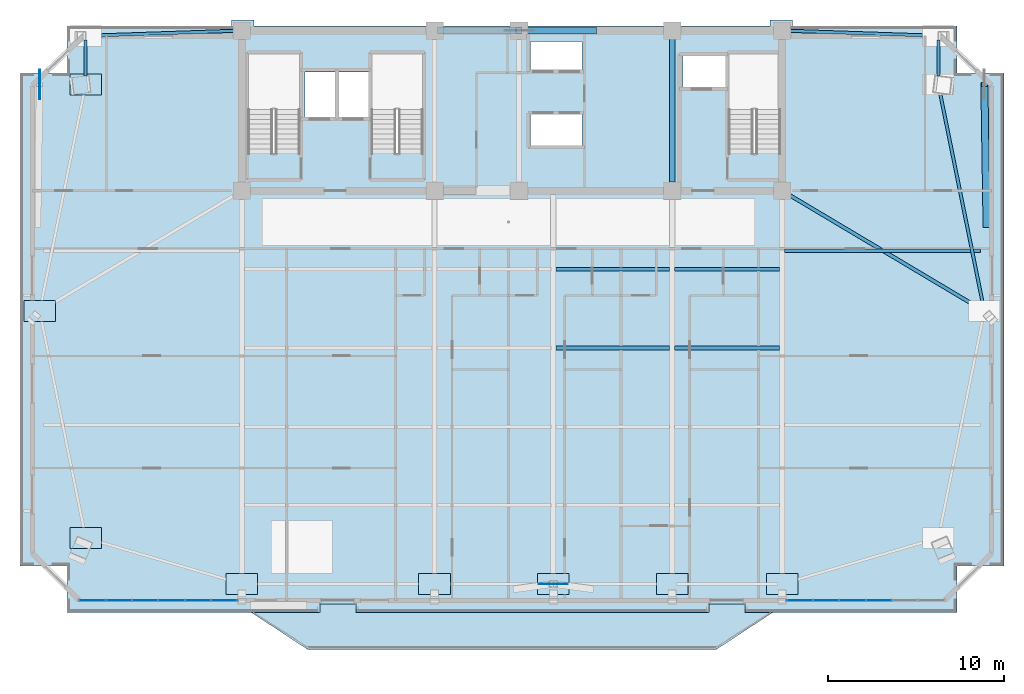
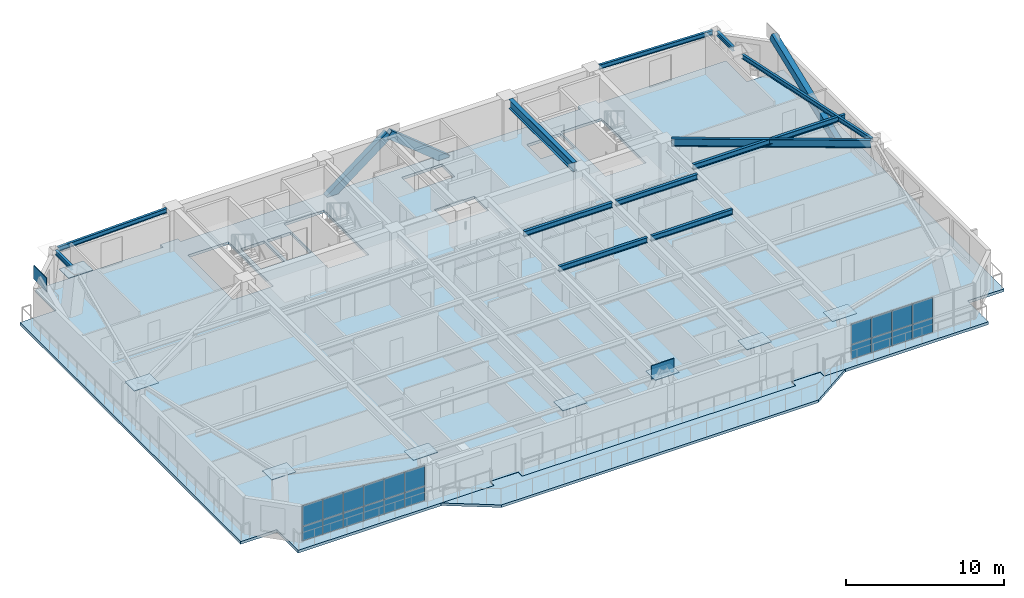
# One storey, part 7 of 18: 30 plates, 12 beams, 3 members, 2 slabs, 2 elements without a shape of their own.
"""IFC4 building model written with IfcOpenShell, lengths in metres."""

from ifc_helpers import new_model, si_unit, direction, frame, origin, origin_2d, place, context, subcontext, project, spatial, polyline, rectangle, hollow_rectangle, i_section, outline, extrude, source, transform, mapped, material, layer, layer_set, material_profile, profile_set, type_object, element, aggregate, save


model = new_model("IFC4")

# Units and contexts
model_context = context("Model", 3, precision=1e-05, world=origin(), true_north=direction((0.0, 1.0)))
body_context = subcontext(model_context, "Body", "Model", "MODEL_VIEW")
ifc_project = project(units=[si_unit("LENGTHUNIT", "METRE"), si_unit("AREAUNIT", "SQUARE_METRE"), si_unit("VOLUMEUNIT", "CUBIC_METRE"), si_unit("PLANEANGLEUNIT", "RADIAN"), si_unit("MASSUNIT", "GRAM", prefix="KILO")], contexts=[model_context])

# Site, building, storey
site_placement = place(None, origin())
site = spatial("IfcSite", under=ifc_project, at=site_placement, CompositionType="ELEMENT")
building_placement = place(site_placement, origin())
building = spatial("IfcBuilding", under=site, at=building_placement, Name="Giltprow Tower", CompositionType="ELEMENT")
storey_placement = place(building_placement, frame((0.0, 0.0, 245.10009765625)))
storey = spatial("IfcBuildingStorey", under=building, at=storey_placement, Name="L62", CompositionType="ELEMENT", Elevation=245.10009765625)

# Beams
ifc_material_1 = material(Name="Structural steel Q355B", Category="steel")
ifc_material_profile_1 = material_profile(ifc_material_1, i_section(OverallWidth=0.300048828125, OverallDepth=0.699951171875, WebThickness=0.012939453125, FlangeThickness=0.02392578125, at=origin_2d()), Name="HN 700x300x13x24")
ifc_profile_set_1 = profile_set([ifc_material_profile_1], Name="Structural steel Q355B")
beam_type_1 = type_object("IfcBeamType", Name="BM-GIRD-HN700", PredefinedType="BEAM", material=ifc_profile_set_1)
shared_shape_1 = source(origin(), body_context, "Body", "SweptSolid", [
    extrude(i_section(OverallWidth=0.300048828125, OverallDepth=0.699951171875, WebThickness=0.012939453125, FlangeThickness=0.02392578125, at=origin_2d()), origin(), (0.0, 0.0, 1.0), 8.1298828125),
])
beam_1_placement = place(storey_placement, frame((44.300048828125, 37.93505859375, 2.8349609375), z_axis=(0.0, 1.0, 0.0), x_axis=(-1.0, 0.0, 0.0)))
element("IfcBeam", 1, at=beam_1_placement, inside=storey, type_object=beam_type_1, Name="L62 Core Tie Girder M3", PredefinedType="BEAM", context=body_context, shape_type="MappedRepresentation", body=[
    mapped(shared_shape_1, transform((0.0, 0.0, 0.0), x_axis=(1.0, 0.0, 0.0), y_axis=(0.0, 1.0, 0.0), z_axis=(0.0, 0.0, 1.0), scale=1.0)),
])
ifc_material_profile_2 = material_profile(ifc_material_1, i_section(OverallWidth=0.199951171875, OverallDepth=0.39990234375, WebThickness=0.008056640625, FlangeThickness=0.012939453125, at=origin_2d()), Name="HN 400x200x8x13")
ifc_profile_set_2 = profile_set([ifc_material_profile_2], Name="Structural steel Q355B")
beam_type_2 = type_object("IfcBeamType", Name="BM-JOIST-HN400", PredefinedType="JOIST", material=ifc_profile_set_2)
shared_shape_2 = source(origin(), body_context, "Body", "SweptSolid", [
    extrude(i_section(OverallWidth=0.199951171875, OverallDepth=0.39990234375, WebThickness=0.008056640625, FlangeThickness=0.012939453125, at=origin_2d()), origin(), (0.0, 0.0, 1.0), 6.4599609375),
])
for number, where, z_axis, x_axis, name in (
    (2, (37.695068359375, 28.514892578125, 2.98486328125), (1.0, 0.0, 0.0), (0.0, 1.0, 0.0), "L62 Composite Floor Joist 3-3"),
    (3, (37.695068359375, 32.98291015625, 2.98486328125), (1.0, 0.0, 0.0), (0.0, 1.0, 0.0), "L62 Composite Floor Joist 4-3"),
):
    element("IfcBeam", number, at=place(storey_placement, frame(where, z_axis=z_axis, x_axis=x_axis)), inside=storey, type_object=beam_type_2, Name=name, PredefinedType="JOIST", context=body_context, shape_type="MappedRepresentation", body=[
        mapped(shared_shape_2, transform((0.0, 0.0, 0.0), x_axis=(1.0, 0.0, 0.0), y_axis=(0.0, 1.0, 0.0), z_axis=(0.0, 0.0, 1.0), scale=1.0)),
    ])
shared_shape_3 = source(origin(), body_context, "Body", "SweptSolid", [
    extrude(i_section(OverallWidth=0.199951171875, OverallDepth=0.39990234375, WebThickness=0.008056640625, FlangeThickness=0.012939453125, at=origin_2d()), origin(), (0.0, 0.0, 1.0), 5.9599609375),
])
for number, where, z_axis, x_axis, name in (
    (4, (44.445068359375, 28.514892578125, 2.98486328125), (1.0, 0.0, 0.0), (0.0, 1.0, 0.0), "L62 Composite Floor Joist 3-4"),
    (5, (44.445068359375, 32.98291015625, 2.98486328125), (1.0, 0.0, 0.0), (0.0, 1.0, 0.0), "L62 Composite Floor Joist 4-4"),
):
    element("IfcBeam", number, at=place(storey_placement, frame(where, z_axis=z_axis, x_axis=x_axis)), inside=storey, type_object=beam_type_2, Name=name, PredefinedType="JOIST", context=body_context, shape_type="MappedRepresentation", body=[
        mapped(shared_shape_3, transform((0.0, 0.0, 0.0), x_axis=(1.0, 0.0, 0.0), y_axis=(0.0, 1.0, 0.0), z_axis=(0.0, 0.0, 1.0), scale=1.0)),
    ])
ifc_material_profile_3 = material_profile(ifc_material_1, i_section(OverallWidth=0.175048828125, OverallDepth=0.35009765625, WebThickness=0.007080078125, FlangeThickness=0.010986328125, at=origin_2d()), Name="HN 350x175x7x11")
ifc_profile_set_3 = profile_set([ifc_material_profile_3], Name="Structural steel Q355B")
beam_type_3 = type_object("IfcBeamType", Name="BM-SPAN-HN350", PredefinedType="SPANDREL", material=ifc_profile_set_3)
shared_shape_4 = source(origin(), body_context, "Body", "SweptSolid", [
    extrude(i_section(OverallWidth=0.175048828125, OverallDepth=0.35009765625, WebThickness=0.007080078125, FlangeThickness=0.010986328125, at=origin_2d()), origin(), (0.0, 0.0, 1.0), 12.42138671875),
])
beam_2_placement = place(storey_placement, frame((61.989990234375, 30.8369140625, 3.010009765625), z_axis=(-0.198927494824, 0.980014210001, 0.0), x_axis=(-0.980014210001, -0.198927494824, 0.0)))
element("IfcBeam", 6, at=beam_2_placement, inside=storey, type_object=beam_type_3, Name="L62 Perimeter Spandrel Beam E_MID-MC_NE", PredefinedType="SPANDREL", context=body_context, shape_type="MappedRepresentation", body=[
    mapped(shared_shape_4, transform((0.0, 0.0, 0.0), x_axis=(1.0, 0.0, 0.0), y_axis=(0.0, 1.0, 0.0), z_axis=(0.0, 0.0, 1.0), scale=1.0)),
])
shared_shape_5 = source(origin(), body_context, "Body", "SweptSolid", [
    extrude(i_section(OverallWidth=0.175048828125, OverallDepth=0.35009765625, WebThickness=0.007080078125, FlangeThickness=0.010986328125, at=origin_2d()), origin(), (0.0, 0.0, 1.0), 2.044921875),
])
for number, where, z_axis, x_axis, name in (
    (7, (59.422119140625, 43.969970703125, 3.010009765625), (0.0, 1.0, 0.0), (-1.0, 0.0, 0.0), "L62 Perimeter Spandrel Beam MC_NE-N_E"),
    (8, (10.97900390625, 46.014892578125, 3.010009765625), (0.0, -1.0, 0.0), (1.0, 0.0, 0.0), "L62 Perimeter Spandrel Beam N_W-MC_NW"),
):
    element("IfcBeam", number, at=place(storey_placement, frame(where, z_axis=z_axis, x_axis=x_axis)), inside=storey, type_object=beam_type_3, Name=name, PredefinedType="SPANDREL", context=body_context, shape_type="MappedRepresentation", body=[
        mapped(shared_shape_5, transform((0.0, 0.0, 0.0), x_axis=(1.0, 0.0, 0.0), y_axis=(0.0, 1.0, 0.0), z_axis=(0.0, 0.0, 1.0), scale=1.0)),
    ])
shared_shape_6 = source(origin(), body_context, "Body", "SweptSolid", [
    extrude(i_section(OverallWidth=0.175048828125, OverallDepth=0.35009765625, WebThickness=0.007080078125, FlangeThickness=0.010986328125, at=origin_2d()), origin(), (0.0, 0.0, 1.0), 8.155517578125),
])
beam_3_placement = place(storey_placement, frame((11.214111328125, 46.258056640625, 3.010009765625), z_axis=(0.999427698127, 0.033827152066, 0.0), x_axis=(-0.033827152066, 0.999427698127, 0.0)))
element("IfcBeam", 9, at=beam_3_placement, inside=storey, type_object=beam_type_3, Name="L62 North Wing Spandrel W", PredefinedType="SPANDREL", context=body_context, shape_type="MappedRepresentation", body=[
    mapped(shared_shape_6, transform((0.0, 0.0, 0.0), x_axis=(1.0, 0.0, 0.0), y_axis=(0.0, 1.0, 0.0), z_axis=(0.0, 0.0, 1.0), scale=1.0)),
])
shared_shape_7 = source(origin(), body_context, "Body", "SweptSolid", [
    extrude(i_section(OverallWidth=0.175048828125, OverallDepth=0.35009765625, WebThickness=0.007080078125, FlangeThickness=0.010986328125, at=origin_2d()), origin(), (0.0, 0.0, 1.0), 8.15673828125),
])
beam_4_placement = place(storey_placement, frame((51.034912109375, 46.533935546875, 3.010009765625), z_axis=(0.999427869361, -0.033822092551, 0.0), x_axis=(0.033822092551, 0.999427869361, 0.0)))
element("IfcBeam", 10, at=beam_4_placement, inside=storey, type_object=beam_type_3, Name="L62 North Wing Spandrel E", PredefinedType="SPANDREL", context=body_context, shape_type="MappedRepresentation", body=[
    mapped(shared_shape_7, transform((0.0, 0.0, 0.0), x_axis=(1.0, 0.0, 0.0), y_axis=(0.0, 1.0, 0.0), z_axis=(0.0, 0.0, 1.0), scale=1.0)),
])
ifc_material_profile_4 = material_profile(ifc_material_1, i_section(OverallWidth=0.199951171875, OverallDepth=0.60009765625, WebThickness=0.010986328125, FlangeThickness=0.01708984375, at=origin_2d()), Name="HN 600x200x11x17")
ifc_profile_set_4 = profile_set([ifc_material_profile_4], Name="Structural steel Q355B")
beam_type_4 = type_object("IfcBeamType", Name="BM-GIRD-HN600", PredefinedType="BEAM", material=ifc_profile_set_4)
shared_shape_8 = source(origin(), body_context, "Body", "SweptSolid", [
    extrude(i_section(OverallWidth=0.199951171875, OverallDepth=0.60009765625, WebThickness=0.010986328125, FlangeThickness=0.01708984375, at=origin_2d()), origin(), (0.0, 0.0, 1.0), 12.650390625),
])
beam_5_placement = place(storey_placement, frame((61.8349609375, 30.72705078125, 2.885009765625), z_axis=(-0.859089447214, 0.511825479716, 0.0), x_axis=(-0.511825479716, -0.859089447214, 0.0)))
element("IfcBeam", 11, at=beam_5_placement, inside=storey, type_object=beam_type_4, Name="L62 East Wing Primary Girder", PredefinedType="BEAM", context=body_context, shape_type="MappedRepresentation", body=[
    mapped(shared_shape_8, transform((0.0, 0.0, 0.0), x_axis=(1.0, 0.0, 0.0), y_axis=(0.0, 1.0, 0.0), z_axis=(0.0, 0.0, 1.0), scale=1.0)),
])
shared_shape_9 = source(origin(), body_context, "Body", "SweptSolid", [
    extrude(i_section(OverallWidth=0.199951171875, OverallDepth=0.39990234375, WebThickness=0.008056640625, FlangeThickness=0.012939453125, at=origin_2d()), origin(), (0.0, 0.0, 1.0), 11.121826171875),
])
beam_6_placement = place(storey_placement, frame((50.695068359375, 34.029052734375, 2.98486328125), z_axis=(1.0, 0.0, 0.0), x_axis=(0.0, 1.0, 0.0)))
element("IfcBeam", 12, at=beam_6_placement, inside=storey, type_object=beam_type_2, Name="L62 East Wing Floor Joist 2", PredefinedType="JOIST", context=body_context, shape_type="MappedRepresentation", body=[
    mapped(shared_shape_9, transform((0.0, 0.0, 0.0), x_axis=(1.0, 0.0, 0.0), y_axis=(0.0, 1.0, 0.0), z_axis=(0.0, 0.0, 1.0), scale=1.0)),
])

# Members
ifc_material_2 = material(Name="Structural steel Q420GJC", Category="steel")
ifc_material_profile_5 = material_profile(ifc_material_2, hollow_rectangle(XDim=0.39990234375, YDim=0.60009765625, WallThickness=0.028076171875, at=origin_2d()), Name="RHS 600x400x28")
ifc_profile_set_5 = profile_set([ifc_material_profile_5], Name="Structural steel Q420GJC")
member_type = type_object("IfcMemberType", Name="MBR-MEGA-RHS600", PredefinedType="BRACE", material=ifc_profile_set_5)
shared_shape_10 = source(origin(), body_context, "Body", "SweptSolid", [
    extrude(hollow_rectangle(XDim=0.39990234375, YDim=0.60009765625, WallThickness=0.028076171875, at=origin_2d()), origin(), (0.0, 0.0, 1.0), 8.708251953125),
])
member_1_placement = place(storey_placement, frame((62.162109375, 35.468994140625, 0.0), z_axis=(-0.014354259711, 0.920522975273, 0.390424649865), x_axis=(-0.999878442112, -0.015591696484, 0.0)))
element("IfcMember", 13, at=member_1_placement, inside=storey, type_object=member_type, Name="L62 Chevron Mega-Brace E-D", PredefinedType="BRACE", context=body_context, shape_type="MappedRepresentation", body=[
    mapped(shared_shape_10, transform((0.0, 0.0, 0.0), x_axis=(1.0, 0.0, 0.0), y_axis=(0.0, 1.0, 0.0), z_axis=(0.0, 0.0, 1.0), scale=1.0)),
])
shared_shape_11 = source(origin(), body_context, "Body", "SweptSolid", [
    extrude(hollow_rectangle(XDim=0.39990234375, YDim=0.60009765625, WallThickness=0.028076171875, at=origin_2d()), origin(), (0.0, 0.0, 1.0), 5.602783203125),
])
member_2_placement = place(storey_placement, frame((31.14697265625, 46.550048828125, -0.14013671875), z_axis=(0.794804117245, 0.0, 0.606866060355), x_axis=(0.0, 1.0, 0.0)))
element("IfcMember", 14, at=member_2_placement, inside=storey, type_object=member_type, Name="L62 Chevron Mega-Brace N-L", PredefinedType="BRACE", context=body_context, shape_type="MappedRepresentation", body=[
    mapped(shared_shape_11, transform((0.0, 0.0, 0.0), x_axis=(1.0, 0.0, 0.0), y_axis=(0.0, 1.0, 0.0), z_axis=(0.0, 0.0, 1.0), scale=1.0)),
])
shared_shape_12 = source(origin(), body_context, "Body", "SweptSolid", [
    extrude(hollow_rectangle(XDim=0.39990234375, YDim=0.60009765625, WallThickness=0.028076171875, at=origin_2d()), origin(), (0.0, 0.0, 1.0), 5.4130859375),
])
member_3_placement = place(storey_placement, frame((39.81201171875, 46.550048828125, -0.14013671875), z_axis=(-0.778102262574, 0.0, 0.628137619457), x_axis=(0.0, -1.0, 0.0)))
element("IfcMember", 15, at=member_3_placement, inside=storey, type_object=member_type, Name="L62 Chevron Mega-Brace N-R", PredefinedType="BRACE", context=body_context, shape_type="MappedRepresentation", body=[
    mapped(shared_shape_12, transform((0.0, 0.0, 0.0), x_axis=(1.0, 0.0, 0.0), y_axis=(0.0, 1.0, 0.0), z_axis=(0.0, 0.0, 1.0), scale=1.0)),
])

# Slabs
ifc_material_3 = material(Name="Concrete C40", Category="concrete")
ifc_layer_1 = layer(ifc_material_3, 0.199951171875, Name="Concrete C40")
ifc_layer_set_1 = layer_set([ifc_layer_1], Name="Concrete C40")
slab_type_1 = type_object("IfcSlabType", Name="SLB-BALC-BRONZE-200", PredefinedType="FLOOR", material=ifc_layer_set_1)
slab_1_placement = place(storey_placement, frame((0.0, 0.0, -0.2001953125)))
element("IfcSlab", 16, at=slab_1_placement, inside=storey, type_object=slab_type_1, Name="L62 Bronze Prow Waterfront Balcony Slab", PredefinedType="FLOOR", context=body_context, shape_type="SweptSolid", body=[
    extrude(outline(polyline([(50.0, 13.48193359375), (46.800048828125, 11.382080078125), (23.60009765625, 11.382080078125), (20.39990234375, 13.48193359375), (24.280029296875, 13.48193359375), (24.280029296875, 13.98193359375), (26.320068359375, 13.98193359375), (26.320068359375, 13.48193359375), (46.3798828125, 13.48193359375), (46.3798828125, 13.98193359375), (48.419921875, 13.98193359375), (48.419921875, 13.48193359375), (50.0, 13.48193359375)])), origin(), (0.0, 0.0, 1.0), 0.2001953125),
])
ifc_layer_2 = layer(ifc_material_3, 0.215087890625, Name="Concrete C40")
ifc_layer_set_2 = layer_set([ifc_layer_2], Name="Concrete C40")
slab_type_2 = type_object("IfcSlabType", Name="SLB-RES-215", PredefinedType="FLOOR", material=ifc_layer_set_2)
slab_2_placement = place(storey_placement, frame((0.0, 0.0, -0.215087890625)))
element("IfcSlab", 17, at=slab_2_placement, inside=storey, type_object=slab_type_2, Name="L62 Structural Composite Floor Slab", PredefinedType="FLOOR", context=body_context, shape_type="SweptSolid", body=[
    extrude(outline(polyline([(63.152099609375, 44.138916015625), (63.152099609375, 16.14306640625), (60.490966796875, 16.14306640625), (60.490966796875, 13.48193359375), (48.449951171875, 13.48193359375), (48.449951171875, 14.001953125), (46.35009765625, 14.001953125), (46.35009765625, 13.48193359375), (26.35009765625, 13.48193359375), (26.35009765625, 14.001953125), (24.25, 14.001953125), (24.25, 13.48193359375), (9.908935546875, 13.48193359375), (9.908935546875, 16.14306640625), (7.248046875, 16.14306640625), (7.248046875, 44.138916015625), (9.908935546875, 44.138916015625), (9.908935546875, 46.800048828125), (19.25, 46.800048828125), (19.25, 47.14990234375), (20.550048828125, 47.14990234375), (20.550048828125, 46.800048828125), (49.85009765625, 46.800048828125), (49.85009765625, 47.14990234375), (51.14990234375, 47.14990234375), (51.14990234375, 46.800048828125), (60.490966796875, 46.800048828125), (60.490966796875, 44.138916015625), (63.152099609375, 44.138916015625)]), holes=[polyline([(39.18994140625, 41.800048828125), (36.239990234375, 41.800048828125), (36.239990234375, 40.0), (39.18994140625, 40.0), (39.18994140625, 41.800048828125)]), polyline([(23.159912109375, 39.570068359375), (23.159912109375, 45.25), (20.199951171875, 45.25), (20.199951171875, 39.570068359375), (23.159912109375, 39.570068359375)]), polyline([(30.159912109375, 39.570068359375), (30.159912109375, 45.25), (27.199951171875, 45.25), (27.199951171875, 39.570068359375), (30.159912109375, 39.570068359375)]), polyline([(50.4599609375, 45.25), (47.5, 45.25), (47.5, 39.570068359375), (50.4599609375, 39.570068359375), (50.4599609375, 45.25)]), polyline([(25.169921875, 44.199951171875), (23.449951171875, 44.199951171875), (23.449951171875, 41.60009765625), (25.169921875, 41.60009765625), (25.169921875, 44.199951171875)]), polyline([(27.10009765625, 44.199951171875), (25.35009765625, 44.199951171875), (25.35009765625, 41.60009765625), (27.10009765625, 41.60009765625), (27.10009765625, 44.199951171875)]), polyline([(47.3798828125, 43.300048828125), (47.3798828125, 45.10009765625), (44.919921875, 45.10009765625), (44.919921875, 43.300048828125), (47.3798828125, 43.300048828125)]), polyline([(39.18994140625, 44.300048828125), (39.18994140625, 45.919921875), (36.239990234375, 45.919921875), (36.239990234375, 44.300048828125), (39.18994140625, 44.300048828125)])]), origin(), (0.0, 0.0, 1.0), 0.215087890625),
])

# Plates
plate_type_1 = type_object("IfcPlateType", Name="PLT-NODE-CKN1", PredefinedType="USERDEFINED", material=ifc_material_2)
shared_shape_13 = source(origin(), body_context, "Body", "SweptSolid", [
    extrude(rectangle(XDim=1.800048828125, YDim=1.199951171875, at=origin_2d()), origin(), (0.0, 0.0, 1.0), 0.044921875),
])
for number, where, z_axis, x_axis, name in (
    (18, (10.97900390625, 17.72802734375, 3.142333984375), (0.0, 0.0, 1.0), (1.0, 0.0, 0.0), "CKN1 Column Taper Splice Node L62-MC_SW"),
    (19, (10.97900390625, 43.485107421875, 3.142333984375), (0.0, 0.0, 1.0), (1.0, 0.0, 0.0), "CKN1 Column Taper Splice Node L62-MC_NW"),
    (20, (19.85009765625, 15.113037109375, 3.142333984375), (0.0, 0.0, 1.0), (1.0, 0.0, 0.0), "CKN1 Column Taper Splice Node L62-S1"),
    (21, (30.800048828125, 15.113037109375, 3.142333984375), (0.0, 0.0, 1.0), (1.0, 0.0, 0.0), "CKN1 Column Taper Splice Node L62-S2"),
    (22, (37.550048828125, 15.113037109375, 3.142333984375), (0.0, 0.0, 1.0), (1.0, 0.0, 0.0), "CKN1 Column Taper Splice Node L62-S_MID"),
    (23, (44.300048828125, 15.113037109375, 3.142333984375), (0.0, 0.0, 1.0), (1.0, 0.0, 0.0), "CKN1 Column Taper Splice Node L62-S3"),
    (24, (50.550048828125, 15.113037109375, 3.142333984375), (0.0, 0.0, 1.0), (1.0, 0.0, 0.0), "CKN1 Column Taper Splice Node L62-S4"),
    (25, (8.364013671875, 30.60693359375, 3.142333984375), (0.0, 0.0, 1.0), (1.0, 0.0, 0.0), "CKN1 Column Taper Splice Node L62-W_MID"),
):
    element("IfcPlate", number, at=place(storey_placement, frame(where, z_axis=z_axis, x_axis=x_axis)), inside=storey, type_object=plate_type_1, Name=name, ObjectType="SPLICE", PredefinedType="USERDEFINED", context=body_context, shape_type="MappedRepresentation", body=[
        mapped(shared_shape_13, transform((0.0, 0.0, 0.0), x_axis=(1.0, 0.0, 0.0), y_axis=(0.0, 1.0, 0.0), z_axis=(0.0, 0.0, 1.0), scale=1.0)),
    ])
plate_type_2 = type_object("IfcPlateType", Name="PLT-NODE-MBN2", PredefinedType="USERDEFINED", material=ifc_material_2)
shared_shape_14 = source(origin(), body_context, "Body", "SweptSolid", [
    extrude(rectangle(XDim=1.64990234375, YDim=0.044921875, at=origin_2d()), origin(), (0.0, 0.0, 1.0), 1.050048828125),
])
for number, where, z_axis, x_axis, name in (
    (26, (37.550048828125, 15.113037109375, 2.875), (0.0, 0.0, 1.0), (1.0, 0.0, 0.0), "Mega-Brace Node L62-S-LB"),
    (27, (8.364013671875, 43.485107421875, 2.875), (0.0, 0.0, 1.0), (0.0, 1.0, 0.0), "Mega-Brace Node L62-W-DB"),
):
    element("IfcPlate", number, at=place(storey_placement, frame(where, z_axis=z_axis, x_axis=x_axis)), inside=storey, type_object=plate_type_2, Name=name, ObjectType="GUSSET", PredefinedType="USERDEFINED", context=body_context, shape_type="MappedRepresentation", body=[
        mapped(shared_shape_14, transform((0.0, 0.0, 0.0), x_axis=(1.0, 0.0, 0.0), y_axis=(0.0, 1.0, 0.0), z_axis=(0.0, 0.0, 1.0), scale=1.0)),
    ])

# Curtain wall, plates
ifc_material_4 = material(Name="Anodized bronze", Category="metal")
ifc_layer_3 = layer(ifc_material_4, 0.179931640625, Name="Anodized bronze")
ifc_layer_set_3 = layer_set([ifc_layer_3], Name="Anodized bronze")
curtain_wall_type = type_object("IfcCurtainWallType", Name="CW-RES-SKY", PredefinedType="NOTDEFINED", material=ifc_layer_set_3)
curtain_wall_1_placement = place(storey_placement, origin())
curtain_wall_1 = element("IfcCurtainWall", 28, at=curtain_wall_1_placement, inside=storey, type_object=curtain_wall_type, Name="L62 South Recessed Curtain Wall 1", PredefinedType="NOTDEFINED")
ifc_material_5 = material(Name="Insulated glass", Category="glass")
plate_type_3 = type_object("IfcPlateType", Name="CW-PANEL-IGU-28", PredefinedType="CURTAIN_PANEL", material=ifc_material_5)
shared_shape_15 = source(origin(), body_context, "Body", "SweptSolid", [
    extrude(rectangle(XDim=1.468994140625, YDim=0.028076171875, at=origin_2d()), origin(), (0.0, 0.0, 1.0), 1.114013671875),
])
plate_1_placement = place(storey_placement, frame((11.35791015625, 14.181884765625, 0.0537109375), z_axis=(0.0, 0.0, 1.0), x_axis=(1.0, 0.0, 0.0)))
plate_1 = element("IfcPlate", 29, at=plate_1_placement, type_object=plate_type_3, Name="L62 South Recessed Curtain Wall 1 Glazing Panel 1-1", PredefinedType="CURTAIN_PANEL", context=body_context, shape_type="MappedRepresentation", body=[
    mapped(shared_shape_15, transform((0.0, 0.0, 0.0), x_axis=(1.0, 0.0, 0.0), y_axis=(0.0, 1.0, 0.0), z_axis=(0.0, 0.0, 1.0), scale=1.0)),
])
plate_2_placement = place(storey_placement, frame((12.85693359375, 14.181884765625, 0.0537109375), z_axis=(0.0, 0.0, 1.0), x_axis=(1.0, 0.0, 0.0)))
plate_2 = element("IfcPlate", 30, at=plate_2_placement, type_object=plate_type_3, Name="L62 South Recessed Curtain Wall 1 Glazing Panel 2-1", PredefinedType="CURTAIN_PANEL", context=body_context, shape_type="MappedRepresentation", body=[
    mapped(shared_shape_15, transform((0.0, 0.0, 0.0), x_axis=(1.0, 0.0, 0.0), y_axis=(0.0, 1.0, 0.0), z_axis=(0.0, 0.0, 1.0), scale=1.0)),
])
plate_3_placement = place(storey_placement, frame((14.35498046875, 14.181884765625, 0.0537109375), z_axis=(0.0, 0.0, 1.0), x_axis=(1.0, 0.0, 0.0)))
plate_3 = element("IfcPlate", 31, at=plate_3_placement, type_object=plate_type_3, Name="L62 South Recessed Curtain Wall 1 Glazing Panel 3-1", PredefinedType="CURTAIN_PANEL", context=body_context, shape_type="MappedRepresentation", body=[
    mapped(shared_shape_15, transform((0.0, 0.0, 0.0), x_axis=(1.0, 0.0, 0.0), y_axis=(0.0, 1.0, 0.0), z_axis=(0.0, 0.0, 1.0), scale=1.0)),
])
plate_4_placement = place(storey_placement, frame((15.85400390625, 14.181884765625, 0.0537109375), z_axis=(0.0, 0.0, 1.0), x_axis=(1.0, 0.0, 0.0)))
plate_4 = element("IfcPlate", 32, at=plate_4_placement, type_object=plate_type_3, Name="L62 South Recessed Curtain Wall 1 Glazing Panel 4-1", PredefinedType="CURTAIN_PANEL", context=body_context, shape_type="MappedRepresentation", body=[
    mapped(shared_shape_15, transform((0.0, 0.0, 0.0), x_axis=(1.0, 0.0, 0.0), y_axis=(0.0, 1.0, 0.0), z_axis=(0.0, 0.0, 1.0), scale=1.0)),
])
plate_5_placement = place(storey_placement, frame((17.35205078125, 14.181884765625, 0.0537109375), z_axis=(0.0, 0.0, 1.0), x_axis=(1.0, 0.0, 0.0)))
plate_5 = element("IfcPlate", 33, at=plate_5_placement, type_object=plate_type_3, Name="L62 South Recessed Curtain Wall 1 Glazing Panel 5-1", PredefinedType="CURTAIN_PANEL", context=body_context, shape_type="MappedRepresentation", body=[
    mapped(shared_shape_15, transform((0.0, 0.0, 0.0), x_axis=(1.0, 0.0, 0.0), y_axis=(0.0, 1.0, 0.0), z_axis=(0.0, 0.0, 1.0), scale=1.0)),
])
plate_6_placement = place(storey_placement, frame((18.85107421875, 14.181884765625, 0.0537109375), z_axis=(0.0, 0.0, 1.0), x_axis=(1.0, 0.0, 0.0)))
plate_6 = element("IfcPlate", 34, at=plate_6_placement, type_object=plate_type_3, Name="L62 South Recessed Curtain Wall 1 Glazing Panel 6-1", PredefinedType="CURTAIN_PANEL", context=body_context, shape_type="MappedRepresentation", body=[
    mapped(shared_shape_15, transform((0.0, 0.0, 0.0), x_axis=(1.0, 0.0, 0.0), y_axis=(0.0, 1.0, 0.0), z_axis=(0.0, 0.0, 1.0), scale=1.0)),
])

curtain_wall_2_placement = place(storey_placement, origin())
curtain_wall_2 = element("IfcCurtainWall", 35, at=curtain_wall_2_placement, inside=storey, type_object=curtain_wall_type, Name="L62 South Recessed Curtain Wall 6", PredefinedType="NOTDEFINED")
plate_7_placement = place(storey_placement, frame((51.549072265625, 14.181884765625, 0.0537109375), z_axis=(0.0, 0.0, 1.0), x_axis=(1.0, 0.0, 0.0)))
plate_7 = element("IfcPlate", 36, at=plate_7_placement, type_object=plate_type_3, Name="L62 South Recessed Curtain Wall 6 Glazing Panel 1-1", PredefinedType="CURTAIN_PANEL", context=body_context, shape_type="MappedRepresentation", body=[
    mapped(shared_shape_15, transform((0.0, 0.0, 0.0), x_axis=(1.0, 0.0, 0.0), y_axis=(0.0, 1.0, 0.0), z_axis=(0.0, 0.0, 1.0), scale=1.0)),
])
plate_8_placement = place(storey_placement, frame((56.044921875, 14.181884765625, 0.0537109375), z_axis=(0.0, 0.0, 1.0), x_axis=(1.0, 0.0, 0.0)))
plate_8 = element("IfcPlate", 37, at=plate_8_placement, type_object=plate_type_3, Name="L62 South Recessed Curtain Wall 6 Glazing Panel 4-1", PredefinedType="CURTAIN_PANEL", context=body_context, shape_type="MappedRepresentation", body=[
    mapped(shared_shape_15, transform((0.0, 0.0, 0.0), x_axis=(1.0, 0.0, 0.0), y_axis=(0.0, 1.0, 0.0), z_axis=(0.0, 0.0, 1.0), scale=1.0)),
])

# Plate
shared_shape_16 = source(origin(), body_context, "Body", "SweptSolid", [
    extrude(rectangle(XDim=1.468994140625, YDim=0.028076171875, at=origin_2d()), origin(), (0.0, 0.0, 1.0), 1.56494140625),
])
plate_9_placement = place(storey_placement, frame((11.35791015625, 14.181884765625, 1.196533203125), z_axis=(0.0, 0.0, 1.0), x_axis=(1.0, 0.0, 0.0)))
plate_9 = element("IfcPlate", 38, at=plate_9_placement, type_object=plate_type_3, Name="L62 South Recessed Curtain Wall 1 Glazing Panel 1-2", PredefinedType="CURTAIN_PANEL", context=body_context, shape_type="MappedRepresentation", body=[
    mapped(shared_shape_16, transform((0.0, 0.0, 0.0), x_axis=(1.0, 0.0, 0.0), y_axis=(0.0, 1.0, 0.0), z_axis=(0.0, 0.0, 1.0), scale=1.0)),
])

plate_10_placement = place(storey_placement, frame((12.85693359375, 14.181884765625, 1.196533203125), z_axis=(0.0, 0.0, 1.0), x_axis=(1.0, 0.0, 0.0)))
plate_10 = element("IfcPlate", 39, at=plate_10_placement, type_object=plate_type_3, Name="L62 South Recessed Curtain Wall 1 Glazing Panel 2-2", PredefinedType="CURTAIN_PANEL", context=body_context, shape_type="MappedRepresentation", body=[
    mapped(shared_shape_16, transform((0.0, 0.0, 0.0), x_axis=(1.0, 0.0, 0.0), y_axis=(0.0, 1.0, 0.0), z_axis=(0.0, 0.0, 1.0), scale=1.0)),
])

plate_11_placement = place(storey_placement, frame((14.35498046875, 14.181884765625, 1.196533203125), z_axis=(0.0, 0.0, 1.0), x_axis=(1.0, 0.0, 0.0)))
plate_11 = element("IfcPlate", 40, at=plate_11_placement, type_object=plate_type_3, Name="L62 South Recessed Curtain Wall 1 Glazing Panel 3-2", PredefinedType="CURTAIN_PANEL", context=body_context, shape_type="MappedRepresentation", body=[
    mapped(shared_shape_16, transform((0.0, 0.0, 0.0), x_axis=(1.0, 0.0, 0.0), y_axis=(0.0, 1.0, 0.0), z_axis=(0.0, 0.0, 1.0), scale=1.0)),
])

plate_12_placement = place(storey_placement, frame((15.85400390625, 14.181884765625, 1.196533203125), z_axis=(0.0, 0.0, 1.0), x_axis=(1.0, 0.0, 0.0)))
plate_12 = element("IfcPlate", 41, at=plate_12_placement, type_object=plate_type_3, Name="L62 South Recessed Curtain Wall 1 Glazing Panel 4-2", PredefinedType="CURTAIN_PANEL", context=body_context, shape_type="MappedRepresentation", body=[
    mapped(shared_shape_16, transform((0.0, 0.0, 0.0), x_axis=(1.0, 0.0, 0.0), y_axis=(0.0, 1.0, 0.0), z_axis=(0.0, 0.0, 1.0), scale=1.0)),
])

plate_13_placement = place(storey_placement, frame((17.35205078125, 14.181884765625, 1.196533203125), z_axis=(0.0, 0.0, 1.0), x_axis=(1.0, 0.0, 0.0)))
plate_13 = element("IfcPlate", 42, at=plate_13_placement, type_object=plate_type_3, Name="L62 South Recessed Curtain Wall 1 Glazing Panel 5-2", PredefinedType="CURTAIN_PANEL", context=body_context, shape_type="MappedRepresentation", body=[
    mapped(shared_shape_16, transform((0.0, 0.0, 0.0), x_axis=(1.0, 0.0, 0.0), y_axis=(0.0, 1.0, 0.0), z_axis=(0.0, 0.0, 1.0), scale=1.0)),
])

plate_14_placement = place(storey_placement, frame((18.85107421875, 14.181884765625, 1.196533203125), z_axis=(0.0, 0.0, 1.0), x_axis=(1.0, 0.0, 0.0)))
plate_14 = element("IfcPlate", 43, at=plate_14_placement, type_object=plate_type_3, Name="L62 South Recessed Curtain Wall 1 Glazing Panel 6-2", PredefinedType="CURTAIN_PANEL", context=body_context, shape_type="MappedRepresentation", body=[
    mapped(shared_shape_16, transform((0.0, 0.0, 0.0), x_axis=(1.0, 0.0, 0.0), y_axis=(0.0, 1.0, 0.0), z_axis=(0.0, 0.0, 1.0), scale=1.0)),
])

aggregate(curtain_wall_1, [plate_1, plate_9, plate_2, plate_10, plate_3, plate_11, plate_4, plate_12, plate_5, plate_13, plate_6, plate_14])

plate_15_placement = place(storey_placement, frame((51.549072265625, 14.181884765625, 1.196533203125), z_axis=(0.0, 0.0, 1.0), x_axis=(1.0, 0.0, 0.0)))
plate_15 = element("IfcPlate", 44, at=plate_15_placement, type_object=plate_type_3, Name="L62 South Recessed Curtain Wall 6 Glazing Panel 1-2", PredefinedType="CURTAIN_PANEL", context=body_context, shape_type="MappedRepresentation", body=[
    mapped(shared_shape_16, transform((0.0, 0.0, 0.0), x_axis=(1.0, 0.0, 0.0), y_axis=(0.0, 1.0, 0.0), z_axis=(0.0, 0.0, 1.0), scale=1.0)),
])

plate_16_placement = place(storey_placement, frame((56.044921875, 14.181884765625, 1.196533203125), z_axis=(0.0, 0.0, 1.0), x_axis=(1.0, 0.0, 0.0)))
plate_16 = element("IfcPlate", 45, at=plate_16_placement, type_object=plate_type_3, Name="L62 South Recessed Curtain Wall 6 Glazing Panel 4-2", PredefinedType="CURTAIN_PANEL", context=body_context, shape_type="MappedRepresentation", body=[
    mapped(shared_shape_16, transform((0.0, 0.0, 0.0), x_axis=(1.0, 0.0, 0.0), y_axis=(0.0, 1.0, 0.0), z_axis=(0.0, 0.0, 1.0), scale=1.0)),
])

shared_shape_17 = source(origin(), body_context, "Body", "SweptSolid", [
    extrude(rectangle(XDim=1.468017578125, YDim=0.028076171875, at=origin_2d()), origin(), (0.0, 0.0, 1.0), 1.114013671875),
])
plate_17_placement = place(storey_placement, frame((53.048095703125, 14.181884765625, 0.0537109375), z_axis=(0.0, 0.0, 1.0), x_axis=(1.0, 0.0, 0.0)))
plate_17 = element("IfcPlate", 46, at=plate_17_placement, type_object=plate_type_3, Name="L62 South Recessed Curtain Wall 6 Glazing Panel 2-1", PredefinedType="CURTAIN_PANEL", context=body_context, shape_type="MappedRepresentation", body=[
    mapped(shared_shape_17, transform((0.0, 0.0, 0.0), x_axis=(1.0, 0.0, 0.0), y_axis=(0.0, 1.0, 0.0), z_axis=(0.0, 0.0, 1.0), scale=1.0)),
])

plate_18_placement = place(storey_placement, frame((54.5458984375, 14.181884765625, 0.0537109375), z_axis=(0.0, 0.0, 1.0), x_axis=(1.0, 0.0, 0.0)))
plate_18 = element("IfcPlate", 47, at=plate_18_placement, type_object=plate_type_3, Name="L62 South Recessed Curtain Wall 6 Glazing Panel 3-1", PredefinedType="CURTAIN_PANEL", context=body_context, shape_type="MappedRepresentation", body=[
    mapped(shared_shape_17, transform((0.0, 0.0, 0.0), x_axis=(1.0, 0.0, 0.0), y_axis=(0.0, 1.0, 0.0), z_axis=(0.0, 0.0, 1.0), scale=1.0)),
])

shared_shape_18 = source(origin(), body_context, "Body", "SweptSolid", [
    extrude(rectangle(XDim=1.468017578125, YDim=0.028076171875, at=origin_2d()), origin(), (0.0, 0.0, 1.0), 1.56494140625),
])
plate_19_placement = place(storey_placement, frame((53.048095703125, 14.181884765625, 1.196533203125), z_axis=(0.0, 0.0, 1.0), x_axis=(1.0, 0.0, 0.0)))
plate_19 = element("IfcPlate", 48, at=plate_19_placement, type_object=plate_type_3, Name="L62 South Recessed Curtain Wall 6 Glazing Panel 2-2", PredefinedType="CURTAIN_PANEL", context=body_context, shape_type="MappedRepresentation", body=[
    mapped(shared_shape_18, transform((0.0, 0.0, 0.0), x_axis=(1.0, 0.0, 0.0), y_axis=(0.0, 1.0, 0.0), z_axis=(0.0, 0.0, 1.0), scale=1.0)),
])

plate_20_placement = place(storey_placement, frame((54.5458984375, 14.181884765625, 1.196533203125), z_axis=(0.0, 0.0, 1.0), x_axis=(1.0, 0.0, 0.0)))
plate_20 = element("IfcPlate", 49, at=plate_20_placement, type_object=plate_type_3, Name="L62 South Recessed Curtain Wall 6 Glazing Panel 3-2", PredefinedType="CURTAIN_PANEL", context=body_context, shape_type="MappedRepresentation", body=[
    mapped(shared_shape_18, transform((0.0, 0.0, 0.0), x_axis=(1.0, 0.0, 0.0), y_axis=(0.0, 1.0, 0.0), z_axis=(0.0, 0.0, 1.0), scale=1.0)),
])

aggregate(curtain_wall_2, [plate_7, plate_15, plate_17, plate_19, plate_18, plate_20, plate_8, plate_16])

save(model, "model.ifc")
